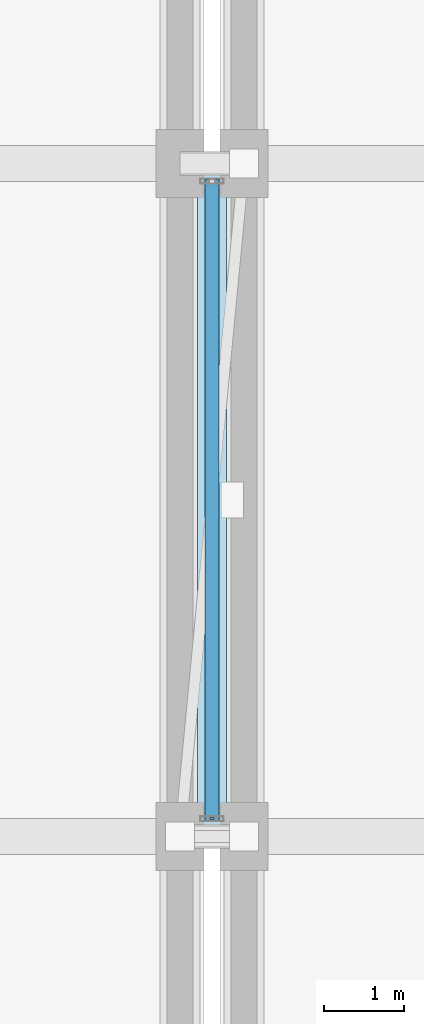
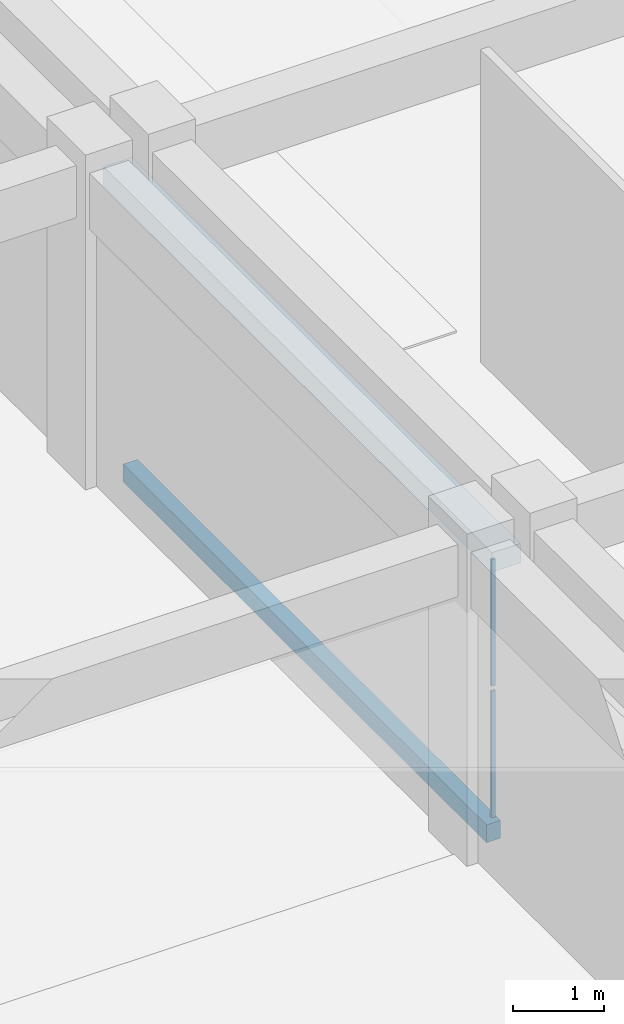
# One storey, part 89 of 129: 2 plates, 2 slabs, 1 element without a shape of its own.
"""IFC4 building model written with IfcOpenShell, lengths in metres."""

from ifc_helpers import new_model, si_unit, direction, frame, origin, origin_2d, place, context, subcontext, project, spatial, polyline, rectangle, outline, extrude, material, layer, layer_set, type_object, element, aggregate, save


model = new_model("IFC4")

# Units and contexts
model_context = context("Model", 3, precision=1e-05, world=origin(), true_north=direction((0.0, 1.0)))
body_context = subcontext(model_context, "Body", "Model", "MODEL_VIEW")
ifc_project = project(units=[si_unit("LENGTHUNIT", "METRE"), si_unit("AREAUNIT", "SQUARE_METRE"), si_unit("VOLUMEUNIT", "CUBIC_METRE"), si_unit("PLANEANGLEUNIT", "RADIAN"), si_unit("MASSUNIT", "GRAM", prefix="KILO")], contexts=[model_context])

# Site, building, storey
site_placement = place(None, origin())
site = spatial("IfcSite", under=ifc_project, at=site_placement, CompositionType="ELEMENT")
building_placement = place(site_placement, origin())
building = spatial("IfcBuilding", under=site, at=building_placement, Name="Xazarin Passage Department Store", CompositionType="ELEMENT")
storey_placement = place(building_placement, frame((0.0, 0.0, 9.89990234375)))
storey = spatial("IfcBuildingStorey", under=building, at=storey_placement, Name="L02", CompositionType="ELEMENT", Elevation=9.89990234375)

# Curtain wall, plates
ifc_material_1 = material(Name="Bronze anodised aluminium", Category="aluminium")
ifc_layer_1 = layer(ifc_material_1, 0.14990234375)
ifc_layer_set_1 = layer_set([ifc_layer_1], Name="Bronze anodised aluminium")
curtain_wall_type = type_object("IfcCurtainWallType", Name="ARC-CW-BRG1", PredefinedType="NOTDEFINED", material=ifc_layer_set_1)
curtain_wall_placement = place(storey_placement, origin())
curtain_wall = element("IfcCurtainWall", 1, at=curtain_wall_placement, inside=storey, type_object=curtain_wall_type, Name="L02 BR-V2S-V3 Bridge Curtain Wall 1", PredefinedType="NOTDEFINED")
ifc_material_2 = material(Name="Low-E laminated safety glass", Category="glass")
ifc_layer_2 = layer(ifc_material_2, 0.028076171875)
ifc_layer_set_2 = layer_set([ifc_layer_2], Name="Low-E laminated safety glass")
plate_type = type_object("IfcPlateType", Name="ARC-CWP-GLZ28", PredefinedType="CURTAIN_PANEL", material=ifc_layer_set_2)
plate_1_placement = place(storey_placement, frame((67.60009765625, 25.419921875, 0.06494140625), z_axis=(0.0, 0.0, 1.0), x_axis=(1.0, 0.0, 0.0)))
plate_1 = element("IfcPlate", 2, at=plate_1_placement, type_object=plate_type, Name="CW7 panel 1.1", PredefinedType="CURTAIN_PANEL", context=body_context, shape_type="SweptSolid", body=[
    extrude(rectangle(XDim=0.050048828125, YDim=0.028076171875, at=origin_2d()), origin(), (0.0, 0.0, 1.0), 1.702392578125),
])
plate_2_placement = place(storey_placement, frame((67.60009765625, 25.419921875, 1.83251953125), z_axis=(0.0, 0.0, 1.0), x_axis=(1.0, 0.0, 0.0)))
plate_2 = element("IfcPlate", 3, at=plate_2_placement, type_object=plate_type, Name="CW7 panel 1.2", PredefinedType="CURTAIN_PANEL", context=body_context, shape_type="SweptSolid", body=[
    extrude(rectangle(XDim=0.050048828125, YDim=0.028076171875, at=origin_2d()), origin(), (0.0, 0.0, 1.0), 1.702392578125),
])
aggregate(curtain_wall, [plate_1, plate_2])

# Slabs
ifc_material_3 = material(Name="Concrete C35/45", Category="concrete")
ifc_layer_3 = layer(ifc_material_3, 0.239990234375)
ifc_layer_set_3 = layer_set([ifc_layer_3], Name="Concrete C35/45")
slab_type_1 = type_object("IfcSlabType", Name="STR-SLB-BRG240", PredefinedType="FLOOR", material=ifc_layer_set_3)
slab_1_placement = place(storey_placement, frame((0.0, 0.0, -0.239990234375)))
element("IfcSlab", 4, at=slab_1_placement, inside=storey, type_object=slab_type_1, Name="L02 BR-V2S-V3 Bridge Floor Deck", PredefinedType="FLOOR", context=body_context, shape_type="SweptSolid", body=[
    extrude(outline(polyline([(67.510009765625, 25.39990234375), (67.68994140625, 25.39990234375), (67.68994140625, 33.39990234375), (67.510009765625, 33.39990234375), (67.510009765625, 25.39990234375)])), origin(), (0.0, 0.0, 1.0), 0.239990234375),
])
ifc_layer_4 = layer(ifc_material_3, 0.260009765625)
ifc_layer_set_4 = layer_set([ifc_layer_4], Name="Concrete C35/45")
slab_type_2 = type_object("IfcSlabType", Name="STR-SLB-RF260", PredefinedType="ROOF", material=ifc_layer_set_4)
slab_2_placement = place(storey_placement, frame((0.0, 0.0, 3.60009765625)))
element("IfcSlab", 5, at=slab_2_placement, inside=storey, type_object=slab_type_2, Name="L02 BR-V2S-V3 Bridge Roof Deck", PredefinedType="ROOF", context=body_context, shape_type="SweptSolid", body=[
    extrude(outline(polyline([(67.419921875, 25.1201171875), (67.780029296875, 25.1201171875), (67.780029296875, 33.679931640625), (67.419921875, 33.679931640625), (67.419921875, 25.1201171875)])), origin(), (0.0, 0.0, 1.0), 0.260009765625),
])

save(model, "model.ifc")
